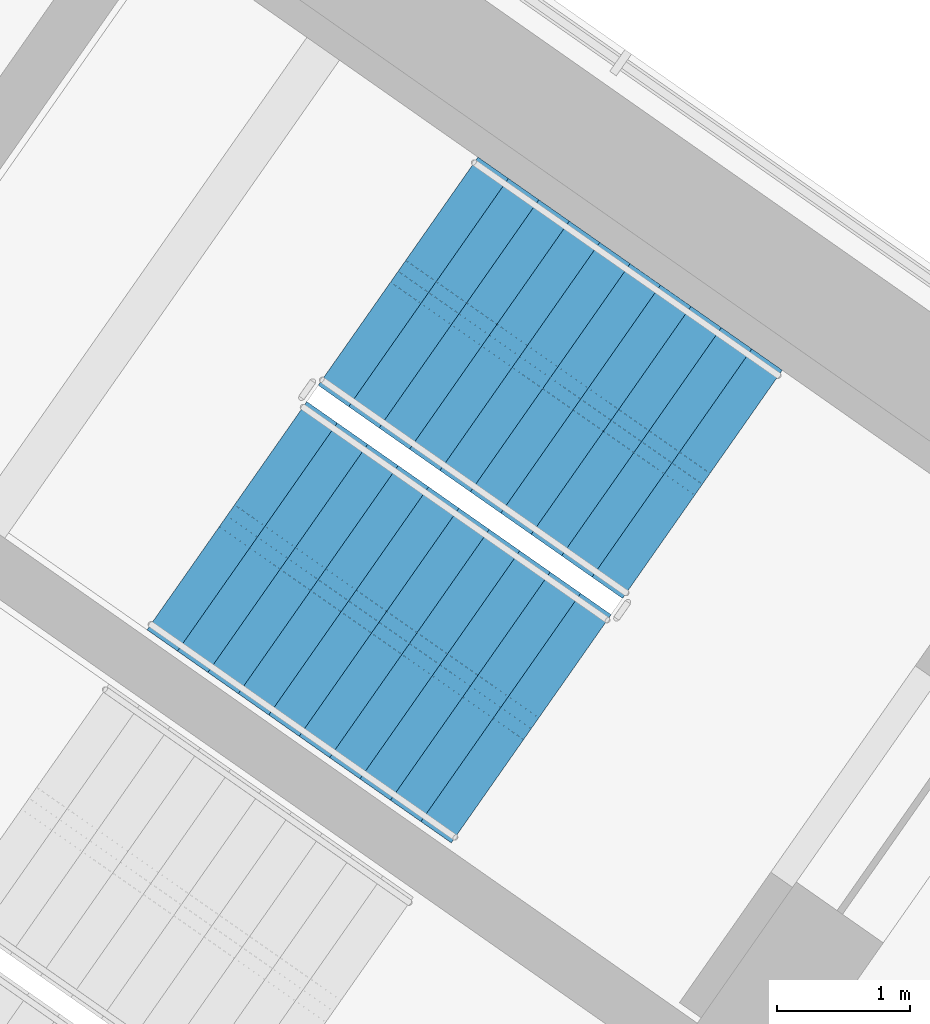
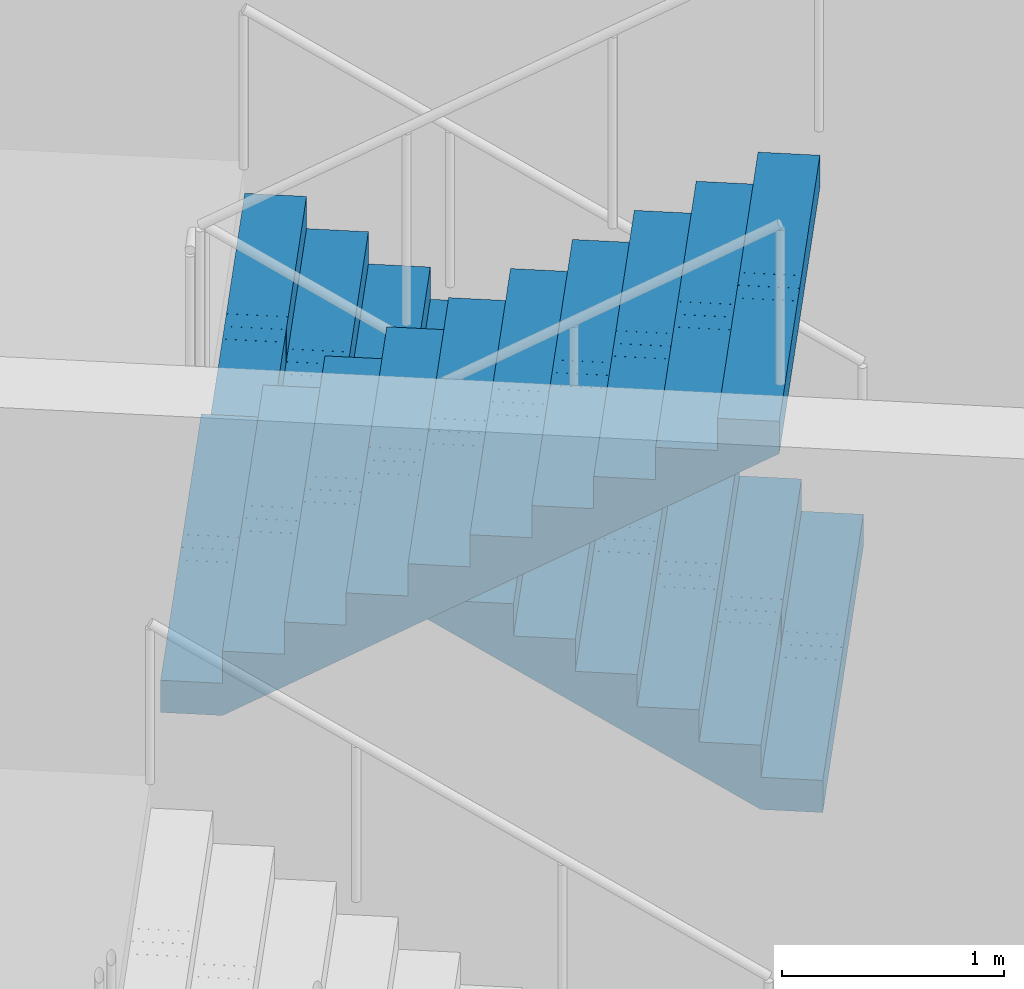
# One storey, part 18 of 23: 2 stair flights, 1 element without a shape of its own.
"""IFC4 building model written with IfcOpenShell, lengths in metres."""

from ifc_helpers import new_model, si_unit, direction, frame, origin, place, context, subcontext, project, spatial, polyline, outline, extrude, material, type_object, element, aggregate, save


model = new_model("IFC4")

# Units and contexts
model_context = context("Model", 3, precision=1e-05, world=origin(), true_north=direction((0.0, 1.0)))
body_context = subcontext(model_context, "Body", "Model", "MODEL_VIEW")
ifc_project = project(units=[si_unit("LENGTHUNIT", "METRE"), si_unit("AREAUNIT", "SQUARE_METRE"), si_unit("VOLUMEUNIT", "CUBIC_METRE"), si_unit("PLANEANGLEUNIT", "RADIAN"), si_unit("MASSUNIT", "GRAM", prefix="KILO")], contexts=[model_context])

# Site, building, storey
site_placement = place(None, origin())
site = spatial("IfcSite", under=ifc_project, at=site_placement, CompositionType="ELEMENT")
building_placement = place(site_placement, origin())
building = spatial("IfcBuilding", under=site, at=building_placement, Name="Tel Ilan Convention Tower", CompositionType="ELEMENT")
storey_placement = place(building_placement, frame((0.0, 0.0, 186.60009765625)))
storey = spatial("IfcBuildingStorey", under=building, at=storey_placement, Name="L43", CompositionType="ELEMENT", Elevation=186.60009765625)

# Stair, stair flights
ifc_material_1 = material(Name="Concrete C40/50", Category="concrete")
stair_type = type_object("IfcStairType", Name="Pressurised Exit Stair 22 risers 177 mm", PredefinedType="HALF_TURN_STAIR", material=ifc_material_1)
stair_placement = place(storey_placement, origin())
stair = element("IfcStair", 1, at=stair_placement, inside=storey, type_object=stair_type, Name="L43 Pressurised Stair S3", PredefinedType="HALF_TURN_STAIR")
ifc_material_2 = material(Name="Precast Concrete C40/50", Category="concrete")
stair_flight_type = type_object("IfcStairFlightType", Name="Concrete Stair Flight 2100 mm 22 risers 177 mm", PredefinedType="STRAIGHT", material=ifc_material_2)
stair_flight_1_placement = place(storey_placement, frame((24.25244140625, -7.032470703125, 0.0), z_axis=(0.0, 0.0, 1.0), x_axis=(-0.819152044289, 0.573576436351, 0.0)))
stair_flight_1 = element("IfcStairFlight", 2, at=stair_flight_1_placement, type_object=stair_flight_type, Name="S3 flight 1", NumberOfRisers=11, NumberOfTreads=10, PredefinedType="STRAIGHT", RiserHeight=0.177272727, TreadLength=0.28, context=body_context, shape_type="SweptSolid", body=[
    extrude(outline(polyline([(0.0, 0.0), (0.0, 0.17724609375), (0.280029296875, 0.17724609375), (0.280029296875, 0.3544921875), (0.56005859375, 0.3544921875), (0.56005859375, 0.53173828125), (0.840087890625, 0.53173828125), (0.840087890625, 0.708984375), (1.1201171875, 0.708984375), (1.1201171875, 0.886474609375), (1.39990234375, 0.886474609375), (1.39990234375, 1.063720703125), (1.679931640625, 1.063720703125), (1.679931640625, 1.240966796875), (1.9599609375, 1.240966796875), (1.9599609375, 1.418212890625), (2.239990234375, 1.418212890625), (2.239990234375, 1.595458984375), (2.52001953125, 1.595458984375), (2.52001953125, 1.772705078125), (2.800048828125, 1.772705078125), (2.800048828125, 1.949951171875), (2.800048828125, 1.59521484375), (0.2802734375, 0.0), (0.0, 0.0)])), frame((0.0, -0.100341796875, 0.0), z_axis=(0.0, -1.0, 0.0), x_axis=(1.0, 0.0, 0.0)), (0.0, 0.0, 1.0), 0.94970703125),
    extrude(outline(polyline([(0.0, 0.0), (0.0, 0.17724609375), (0.280029296875, 0.17724609375), (0.280029296875, 0.3544921875), (0.56005859375, 0.3544921875), (0.56005859375, 0.53173828125), (0.840087890625, 0.53173828125), (0.840087890625, 0.708984375), (1.1201171875, 0.708984375), (1.1201171875, 0.886474609375), (1.39990234375, 0.886474609375), (1.39990234375, 1.063720703125), (1.679931640625, 1.063720703125), (1.679931640625, 1.240966796875), (1.9599609375, 1.240966796875), (1.9599609375, 1.418212890625), (2.239990234375, 1.418212890625), (2.239990234375, 1.595458984375), (2.52001953125, 1.595458984375), (2.52001953125, 1.772705078125), (2.800048828125, 1.772705078125), (2.800048828125, 1.949951171875), (2.800048828125, 1.59521484375), (0.2802734375, 0.0), (0.0, 0.0)])), frame((0.0, -0.000244140625, 0.0), z_axis=(0.0, -1.0, 0.0), x_axis=(1.0, 0.0, 0.0)), (0.0, 0.0, 1.0), 0.099609375),
    extrude(outline(polyline([(0.0, 0.0), (0.0, 0.17724609375), (0.280029296875, 0.17724609375), (0.280029296875, 0.3544921875), (0.56005859375, 0.3544921875), (0.56005859375, 0.53173828125), (0.840087890625, 0.53173828125), (0.840087890625, 0.708984375), (1.1201171875, 0.708984375), (1.1201171875, 0.886474609375), (1.39990234375, 0.886474609375), (1.39990234375, 1.063720703125), (1.679931640625, 1.063720703125), (1.679931640625, 1.240966796875), (1.9599609375, 1.240966796875), (1.9599609375, 1.418212890625), (2.239990234375, 1.418212890625), (2.239990234375, 1.595458984375), (2.52001953125, 1.595458984375), (2.52001953125, 1.772705078125), (2.800048828125, 1.772705078125), (2.800048828125, 1.949951171875), (2.800048828125, 1.59521484375), (0.2802734375, 0.0), (0.0, 0.0)])), frame((0.0, 0.099853515625, 0.0), z_axis=(0.0, -1.0, 0.0), x_axis=(1.0, 0.0, 0.0)), (0.0, 0.0, 1.0), 0.099609375),
    extrude(outline(polyline([(0.0, 0.0), (0.0, 0.17724609375), (0.280029296875, 0.17724609375), (0.280029296875, 0.3544921875), (0.56005859375, 0.3544921875), (0.56005859375, 0.53173828125), (0.840087890625, 0.53173828125), (0.840087890625, 0.708984375), (1.1201171875, 0.708984375), (1.1201171875, 0.886474609375), (1.39990234375, 0.886474609375), (1.39990234375, 1.063720703125), (1.679931640625, 1.063720703125), (1.679931640625, 1.240966796875), (1.9599609375, 1.240966796875), (1.9599609375, 1.418212890625), (2.239990234375, 1.418212890625), (2.239990234375, 1.595458984375), (2.52001953125, 1.595458984375), (2.52001953125, 1.772705078125), (2.800048828125, 1.772705078125), (2.800048828125, 1.949951171875), (2.800048828125, 1.59521484375), (0.2802734375, 0.0), (0.0, 0.0)])), frame((0.0, 1.050048828125, 0.0), z_axis=(0.0, -1.0, 0.0), x_axis=(1.0, 0.0, 0.0)), (0.0, 0.0, 1.0), 0.94970703125),
])
stair_flight_2_placement = place(storey_placement, frame((20.668212890625, -7.26953125, 1.949951171875), z_axis=(0.0, 0.0, 1.0), x_axis=(0.819152044289, -0.573576436351, 0.0)))
stair_flight_2 = element("IfcStairFlight", 3, at=stair_flight_2_placement, type_object=stair_flight_type, Name="S3 flight 2", NumberOfRisers=11, NumberOfTreads=10, PredefinedType="STRAIGHT", RiserHeight=0.177272727, TreadLength=0.28, context=body_context, shape_type="SweptSolid", body=[
    extrude(outline(polyline([(0.0, 0.0), (0.0, 0.17724609375), (0.280029296875, 0.17724609375), (0.280029296875, 0.3544921875), (0.56005859375, 0.3544921875), (0.56005859375, 0.53173828125), (0.840087890625, 0.53173828125), (0.840087890625, 0.708984375), (1.1201171875, 0.708984375), (1.1201171875, 0.886474609375), (1.39990234375, 0.886474609375), (1.39990234375, 1.063720703125), (1.679931640625, 1.063720703125), (1.679931640625, 1.240966796875), (1.9599609375, 1.240966796875), (1.9599609375, 1.418212890625), (2.239990234375, 1.418212890625), (2.239990234375, 1.595458984375), (2.52001953125, 1.595458984375), (2.52001953125, 1.772705078125), (2.800048828125, 1.772705078125), (2.800048828125, 1.949951171875), (2.800048828125, 1.59521484375), (0.2802734375, 0.0), (0.0, 0.0)])), frame((0.0, -0.100341796875, 0.0), z_axis=(0.0, -1.0, 0.0), x_axis=(1.0, 0.0, 0.0)), (0.0, 0.0, 1.0), 0.94970703125),
    extrude(outline(polyline([(0.0, 0.0), (0.0, 0.17724609375), (0.280029296875, 0.17724609375), (0.280029296875, 0.3544921875), (0.56005859375, 0.3544921875), (0.56005859375, 0.53173828125), (0.840087890625, 0.53173828125), (0.840087890625, 0.708984375), (1.1201171875, 0.708984375), (1.1201171875, 0.886474609375), (1.39990234375, 0.886474609375), (1.39990234375, 1.063720703125), (1.679931640625, 1.063720703125), (1.679931640625, 1.240966796875), (1.9599609375, 1.240966796875), (1.9599609375, 1.418212890625), (2.239990234375, 1.418212890625), (2.239990234375, 1.595458984375), (2.52001953125, 1.595458984375), (2.52001953125, 1.772705078125), (2.800048828125, 1.772705078125), (2.800048828125, 1.949951171875), (2.800048828125, 1.59521484375), (0.2802734375, 0.0), (0.0, 0.0)])), frame((0.0, -0.000244140625, 0.0), z_axis=(0.0, -1.0, 0.0), x_axis=(1.0, 0.0, 0.0)), (0.0, 0.0, 1.0), 0.099609375),
    extrude(outline(polyline([(0.0, 0.0), (0.0, 0.17724609375), (0.280029296875, 0.17724609375), (0.280029296875, 0.3544921875), (0.56005859375, 0.3544921875), (0.56005859375, 0.53173828125), (0.840087890625, 0.53173828125), (0.840087890625, 0.708984375), (1.1201171875, 0.708984375), (1.1201171875, 0.886474609375), (1.39990234375, 0.886474609375), (1.39990234375, 1.063720703125), (1.679931640625, 1.063720703125), (1.679931640625, 1.240966796875), (1.9599609375, 1.240966796875), (1.9599609375, 1.418212890625), (2.239990234375, 1.418212890625), (2.239990234375, 1.595458984375), (2.52001953125, 1.595458984375), (2.52001953125, 1.772705078125), (2.800048828125, 1.772705078125), (2.800048828125, 1.949951171875), (2.800048828125, 1.59521484375), (0.2802734375, 0.0), (0.0, 0.0)])), frame((0.0, 0.099853515625, 0.0), z_axis=(0.0, -1.0, 0.0), x_axis=(1.0, 0.0, 0.0)), (0.0, 0.0, 1.0), 0.099609375),
    extrude(outline(polyline([(0.0, 0.0), (0.0, 0.17724609375), (0.280029296875, 0.17724609375), (0.280029296875, 0.3544921875), (0.56005859375, 0.3544921875), (0.56005859375, 0.53173828125), (0.840087890625, 0.53173828125), (0.840087890625, 0.708984375), (1.1201171875, 0.708984375), (1.1201171875, 0.886474609375), (1.39990234375, 0.886474609375), (1.39990234375, 1.063720703125), (1.679931640625, 1.063720703125), (1.679931640625, 1.240966796875), (1.9599609375, 1.240966796875), (1.9599609375, 1.418212890625), (2.239990234375, 1.418212890625), (2.239990234375, 1.595458984375), (2.52001953125, 1.595458984375), (2.52001953125, 1.772705078125), (2.800048828125, 1.772705078125), (2.800048828125, 1.949951171875), (2.800048828125, 1.59521484375), (0.2802734375, 0.0), (0.0, 0.0)])), frame((0.0, 1.050048828125, 0.0), z_axis=(0.0, -1.0, 0.0), x_axis=(1.0, 0.0, 0.0)), (0.0, 0.0, 1.0), 0.94970703125),
])
aggregate(stair, [stair_flight_1, stair_flight_2])

save(model, "model.ifc")
